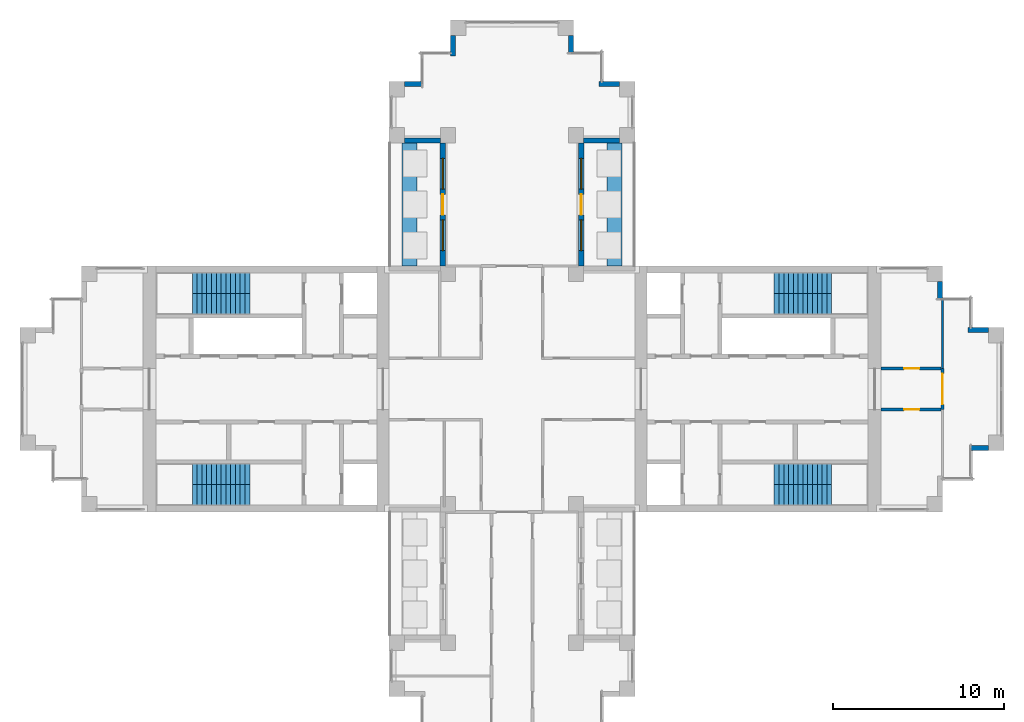
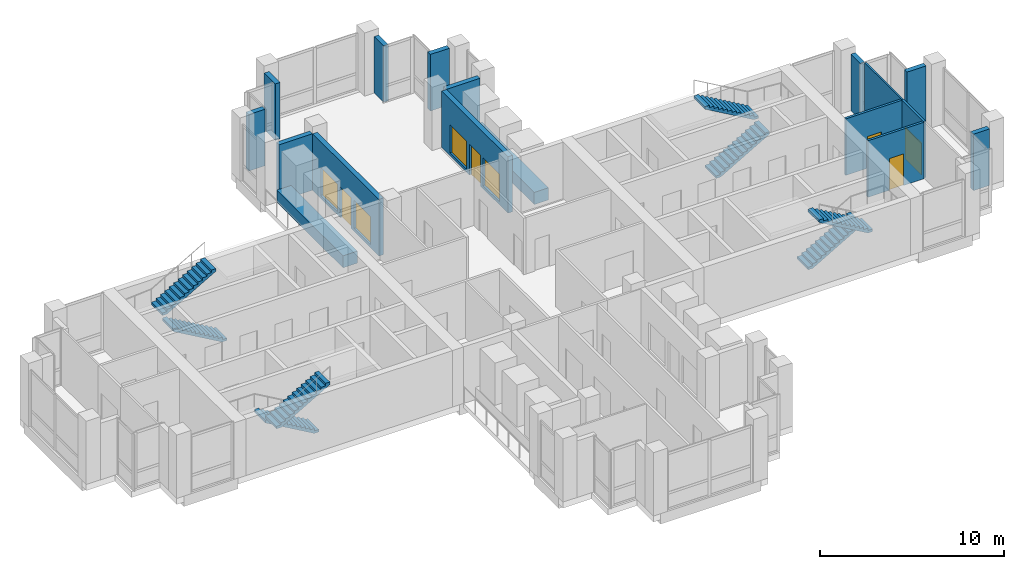
# One storey, part 11 of 13: 17 walls, 8 stair flights, 5 doors, 4 windows, 9 openings, 4 elements without a shape of their own.
"""IFC4 building model written with IfcOpenShell, lengths in metres."""

import ifcopenshell
import ifcopenshell.guid

model = None  # the IFC model being written
_history = None  # IfcOwnerHistory: only IFC2X3 demands one
_inside = {}  # id of a spatial element -> (the spatial element, [elements in it])
_under = {}  # id of a project, library or spatial element -> (it, [spatial elements below it])
_declared = {}  # id of a project -> (the project, [libraries it declares])
_typed = {}  # id of a type object -> (the type object, [elements of that type])
_made_of = {}  # id of a material, layer set ... -> (it, [elements and type objects made of it])


def new_model(schema):
    """Start an empty IFC model of exactly this schema.

    Asked for "IFC4X3", IfcOpenShell would pick the latest addendum, in which some entities
    have other attributes; the version numbers below select the first issue.
    IFC2X3 requires an IfcOwnerHistory on every rooted entity: one is made here for all.
    """
    global model, _history
    if schema == "IFC4X3":
        model = ifcopenshell.file(schema_version=(4, 3, 0, 0))
    else:
        model = ifcopenshell.file(schema=schema)
    _inside.clear()
    _under.clear()
    _declared.clear()
    _typed.clear()
    _made_of.clear()
    _history = None
    if model.schema == "IFC2X3":
        org = make("IfcOrganization", Name="unknown")
        user = make(
            "IfcPersonAndOrganization",
            ThePerson=make("IfcPerson", FamilyName="unknown"),
            TheOrganization=org,
        )
        app = make(
            "IfcApplication",
            ApplicationDeveloper=org,
            Version="unknown",
            ApplicationFullName="unknown",
            ApplicationIdentifier="unknown",
        )
        _history = make(
            "IfcOwnerHistory",
            OwningUser=user,
            OwningApplication=app,
            ChangeAction="ADDED",
            CreationDate=0,
        )
    return model


def make(cls, **values):
    """One entity of the class cls with the attributes given. An attribute that is None is left unset."""
    return model.create_entity(
        cls, **{name: value for name, value in values.items() if value is not None}
    )


def rooted(cls, **values):
    """An entity with a GlobalId (a new one), such as an element, a storey or a relation."""
    return make(cls, GlobalId=ifcopenshell.guid.new(), OwnerHistory=_history, **values)


def si_unit(unit_type, name, prefix=None):
    """IfcSIUnit, for example si_unit("LENGTHUNIT", "METRE", prefix="MILLI")."""
    return make("IfcSIUnit", UnitType=unit_type, Prefix=prefix, Name=name)


def assignment(units):
    """IfcUnitAssignment: the units of a project."""
    return None if units is None else make("IfcUnitAssignment", Units=units)


def point(xyz):
    """IfcCartesianPoint."""
    return None if xyz is None else make("IfcCartesianPoint", Coordinates=xyz)


def direction(xyz):
    """IfcDirection."""
    return None if xyz is None else make("IfcDirection", DirectionRatios=xyz)


def frame(location, z_axis=None, x_axis=None):
    """IfcAxis2Placement3D, a coordinate frame: its origin and axes. An axis left out is left unset."""
    return make(
        "IfcAxis2Placement3D",
        Location=point(location),
        Axis=direction(z_axis),
        RefDirection=direction(x_axis),
    )


def frame_2d(location, x_axis=None):
    """IfcAxis2Placement2D, a coordinate frame in the plane: its origin and x axis."""
    return make(
        "IfcAxis2Placement2D", Location=point(location), RefDirection=direction(x_axis)
    )


def origin():
    """The frame at (0, 0, 0) with its axes left unset."""
    return frame((0.0, 0.0, 0.0))


def place(relative_to, where):
    """IfcLocalPlacement: puts the frame where relative to a parent placement (None: the world)."""
    return make(
        "IfcLocalPlacement", PlacementRelTo=relative_to, RelativePlacement=where
    )


def context(
    kind, dimensions, precision=None, world=None, true_north=None, identifier=None
):
    """IfcGeometricRepresentationContext, for example the 3D "Model" context."""
    return make(
        "IfcGeometricRepresentationContext",
        ContextIdentifier=identifier,
        ContextType=kind,
        CoordinateSpaceDimension=dimensions,
        Precision=precision,
        WorldCoordinateSystem=world,
        TrueNorth=true_north,
    )


def subcontext(parent, identifier, kind, view, scale=None):
    """IfcGeometricRepresentationSubContext, for example "Body" below "Model"."""
    return make(
        "IfcGeometricRepresentationSubContext",
        ContextIdentifier=identifier,
        ContextType=kind,
        ParentContext=parent,
        TargetScale=scale,
        TargetView=view,
    )


def project(units=None, contexts=None):
    """IfcProject with its units and contexts."""
    return rooted(
        "IfcProject",
        Name="project",
        RepresentationContexts=contexts,
        UnitsInContext=assignment(units),
    )


def spatial(cls, under=None, at=None, **own):
    """A site, building, storey or space (cls), placed at a placement, below another one or the project."""
    s = rooted(cls, ObjectPlacement=at, **own)
    if under is not None:
        _under.setdefault(under.id(), (under, []))[1].append(s)
    return s


def polyline(points):
    """IfcPolyline through the points."""
    return make("IfcPolyline", Points=[point(p) for p in points])


def profile(cls, at=None, kind="AREA", **sizes):
    """A parametric profile (cls). Its sizes go by their IFC names, for example OverallWidth=200.0."""
    return make(cls, ProfileType=kind, Position=at, **sizes)


def rectangle(**sizes):
    """IfcRectangleProfileDef."""
    return profile("IfcRectangleProfileDef", **sizes)


def outline(outer, holes=None, kind="AREA"):
    """IfcArbitraryClosedProfileDef: a profile drawn as a closed curve; with holes, ...WithVoids."""
    if holes is None:
        return make("IfcArbitraryClosedProfileDef", ProfileType=kind, OuterCurve=outer)
    return make(
        "IfcArbitraryProfileDefWithVoids",
        ProfileType=kind,
        OuterCurve=outer,
        InnerCurves=holes,
    )


def extrude(swept, where, along, depth):
    """IfcExtrudedAreaSolid: the profile swept, set in the frame where, extruded along a direction by depth."""
    return make(
        "IfcExtrudedAreaSolid",
        SweptArea=swept,
        Position=where,
        ExtrudedDirection=direction(along),
        Depth=depth,
    )


def shape(context_of_items, identifier, shape_type, items):
    """IfcShapeRepresentation: the items that make up one representation, for example the "Body"."""
    return make(
        "IfcShapeRepresentation",
        ContextOfItems=context_of_items,
        RepresentationIdentifier=identifier,
        RepresentationType=shape_type,
        Items=items,
    )


def material(Name=None, Category=None):
    """IfcMaterial."""
    return make("IfcMaterial", Name=Name, Category=Category)


def layer(
    of_material, thickness, ventilated=None, Name=None, Category=None, Priority=None
):
    """IfcMaterialLayer: one layer of a wall or slab, of a material (None: an air gap)."""
    return make(
        "IfcMaterialLayer",
        Material=of_material,
        LayerThickness=thickness,
        IsVentilated=ventilated,
        Name=Name,
        Category=Category,
        Priority=Priority,
    )


def layer_set(layers, Name=None):
    """IfcMaterialLayerSet."""
    return make("IfcMaterialLayerSet", MaterialLayers=layers, LayerSetName=Name)


def made_of(thing, what):
    """Note that an element or type object is made of a material, layer set ...; save() writes the relation."""
    if what is not None:
        _made_of.setdefault(what.id(), (what, []))[1].append(thing)
    return thing


def type_object(cls, material=None, **own):
    """A type object (cls), such as IfcWallType, which elements share."""
    return made_of(rooted(cls, **own), material)


def element(
    cls,
    number,
    at=None,
    inside=None,
    cuts=None,
    type_object=None,
    material=None,
    context=None,
    identifier="Body",
    shape_type=None,
    held_by="IfcProductDefinitionShape",
    body=None,
    shapes=None,
    **own,
):
    """One element of the class cls, such as IfcWall. Its Tag is "e" and its number.

    at: its placement. inside: the storey or other place that contains it. cuts: it is an
    opening in that element (IfcRelVoidsElement). A single representation is given by context,
    identifier, shape_type and body (its items); several are given by shapes. held_by: the class
    of the entity that holds the representations. save() writes the other relations.
    """
    e = rooted(cls, Tag="e%d" % number, ObjectPlacement=at, **own)
    if body is not None:
        shapes = [shape(context, identifier, shape_type, body)]
    if shapes is not None:
        e.Representation = make(held_by, Representations=shapes)
    if inside is not None:
        _inside.setdefault(inside.id(), (inside, []))[1].append(e)
    if cuts is not None:
        rooted(
            "IfcRelVoidsElement", RelatingBuildingElement=cuts, RelatedOpeningElement=e
        )
    if type_object is not None:
        _typed.setdefault(type_object.id(), (type_object, []))[1].append(e)
    return made_of(e, material)


def fill(opening, filler):
    """IfcRelFillsElement: the door or window that sits in an opening."""
    return rooted(
        "IfcRelFillsElement",
        RelatingOpeningElement=opening,
        RelatedBuildingElement=filler,
    )


def aggregate(whole, parts):
    """IfcRelAggregates: a whole, such as a stair, and the parts it consists of."""
    return rooted("IfcRelAggregates", RelatingObject=whole, RelatedObjects=parts)


def save(model, path):
    """Write the relations noted so far, then the file.

    IfcRelAggregates (storeys below a building ...), IfcRelContainedInSpatialStructure (elements
    in a storey), IfcRelDefinesByType, IfcRelAssociatesMaterial and IfcRelDeclares: one each for
    every whole, place, type object, material and project.
    """
    for whole, parts in _under.values():
        aggregate(whole, parts)
    for where, things in _inside.values():
        rooted(
            "IfcRelContainedInSpatialStructure",
            RelatedElements=things,
            RelatingStructure=where,
        )
    for kind, things in _typed.values():
        rooted("IfcRelDefinesByType", RelatedObjects=things, RelatingType=kind)
    for what, things in _made_of.values():
        rooted("IfcRelAssociatesMaterial", RelatedObjects=things, RelatingMaterial=what)
    for by, libraries in _declared.values():
        rooted("IfcRelDeclares", RelatingContext=by, RelatedDefinitions=libraries)
    model.write(path)


model = new_model("IFC4")

# Units and contexts
model_context = context("Model", 3, precision=1e-05, world=origin(), true_north=direction((0.0, 1.0)))
body_context = subcontext(model_context, "Body", "Model", "MODEL_VIEW")
ifc_project = project(units=[si_unit("LENGTHUNIT", "METRE"), si_unit("AREAUNIT", "SQUARE_METRE"), si_unit("VOLUMEUNIT", "CUBIC_METRE"), si_unit("PLANEANGLEUNIT", "RADIAN"), si_unit("MASSUNIT", "GRAM", prefix="KILO")], contexts=[model_context])

# Site, building, storey
site_placement = place(None, origin())
site = spatial("IfcSite", under=ifc_project, at=site_placement, CompositionType="ELEMENT")
building_placement = place(site_placement, origin())
building = spatial("IfcBuilding", under=site, at=building_placement, Name="Fustian Cross Tower", CompositionType="ELEMENT")
storey_placement = place(building_placement, frame((0.0, 0.0, 237.89990234375)))
storey = spatial("IfcBuildingStorey", under=building, at=storey_placement, Name="L75", CompositionType="ELEMENT", Elevation=237.89990234375)

# Wall, opening, door
ifc_material_1 = material(Name="Plasterboard on steel stud", Category="steel")
ifc_layer_1 = layer(ifc_material_1, 0.14990234375)
ifc_layer_set_1 = layer_set([ifc_layer_1], Name="Plasterboard on steel stud")
wall_type_1 = type_object("IfcWallType", Name="COMPARTMENT WALL 150 EI 60", PredefinedType="PARTITIONING", material=ifc_layer_set_1)
wall_1_placement = place(storey_placement, frame((21.60009765625, -1.199951171875, 0.0), z_axis=(0.0, 0.0, 1.0), x_axis=(1.0, 0.0, 0.0)))
wall_1 = element("IfcWall", 1, at=wall_1_placement, inside=storey, type_object=wall_type_1, Name="Partition 24", PredefinedType="PARTITIONING", context=body_context, shape_type="SweptSolid", body=[
    extrude(rectangle(XDim=3.52490234375, YDim=0.14990234375, at=frame_2d((1.762451171875, 0.0))), origin(), (0.0, 0.0, 1.0), 3.75),
])
opening_1_placement = place(wall_1_placement, frame((1.35009765625, 0.0, 0.0)))
opening_1 = element("IfcOpeningElement", 2, at=opening_1_placement, cuts=wall_1, Name="Opening D34025", PredefinedType="OPENING", context=body_context, shape_type="SweptSolid", body=[
    extrude(rectangle(XDim=0.89990234375, YDim=2.10009765625, at=frame_2d((0.449951171875, 1.050048828125))), frame((0.0, 0.0849609375, 0.0), z_axis=(0.0, -1.0, 0.0), x_axis=(1.0, 0.0, 0.0)), (0.0, 0.0, 1.0), 0.169921875),
])
ifc_material_2 = material(Name="Timber fire door set", Category="wood")
door_type_1 = type_object("IfcDoorType", Name="FIRE SWING DOOR 900 FD30S", OperationType="SINGLE_SWING_LEFT", PredefinedType="DOOR", material=ifc_material_2)
door_1_placement = place(opening_1_placement, origin())
door_1 = element("IfcDoor", 3, at=door_1_placement, inside=storey, type_object=door_type_1, Name="Door D34025", OperationType="SINGLE_SWING_LEFT", OverallHeight=2.10009765625, OverallWidth=0.89990234375, PredefinedType="DOOR", context=body_context, shape_type="SweptSolid", body=[
    extrude(rectangle(XDim=0.89990234375, YDim=2.10009765625, at=frame_2d((0.449951171875, 1.050048828125))), frame((0.0, 0.02490234375, 0.0), z_axis=(0.0, -1.0, 0.0), x_axis=(1.0, 0.0, 0.0)), (0.0, 0.0, 1.0), 0.050048828125),
])
fill(opening_1, door_1)

wall_2_placement = place(storey_placement, frame((21.60009765625, 1.199951171875, 0.0), z_axis=(0.0, 0.0, 1.0), x_axis=(1.0, 0.0, 0.0)))
wall_2 = element("IfcWall", 4, at=wall_2_placement, inside=storey, type_object=wall_type_1, Name="Partition 25", PredefinedType="PARTITIONING", context=body_context, shape_type="SweptSolid", body=[
    extrude(rectangle(XDim=3.52490234375, YDim=0.14990234375, at=frame_2d((1.762451171875, 0.0))), origin(), (0.0, 0.0, 1.0), 3.75),
])
opening_2_placement = place(wall_2_placement, frame((1.35009765625, 0.0, 0.0)))
opening_2 = element("IfcOpeningElement", 5, at=opening_2_placement, cuts=wall_2, Name="Opening D34024", PredefinedType="OPENING", context=body_context, shape_type="SweptSolid", body=[
    extrude(rectangle(XDim=0.89990234375, YDim=2.10009765625, at=frame_2d((0.449951171875, 1.050048828125))), frame((0.0, 0.0849609375, 0.0), z_axis=(0.0, -1.0, 0.0), x_axis=(1.0, 0.0, 0.0)), (0.0, 0.0, 1.0), 0.169921875),
])
door_2_placement = place(opening_2_placement, frame((0.89990234375, 0.0, 0.0), z_axis=(0.0, 0.0, 1.0), x_axis=(-1.0, 0.0, 0.0)))
door_2 = element("IfcDoor", 6, at=door_2_placement, inside=storey, type_object=door_type_1, Name="Door D34024", OperationType="SINGLE_SWING_RIGHT", OverallHeight=2.10009765625, OverallWidth=0.89990234375, PredefinedType="DOOR", context=body_context, shape_type="SweptSolid", body=[
    extrude(rectangle(XDim=0.89990234375, YDim=2.10009765625, at=frame_2d((0.449951171875, 1.050048828125))), frame((0.0, 0.02490234375, 0.0), z_axis=(0.0, -1.0, 0.0), x_axis=(1.0, 0.0, 0.0)), (0.0, 0.0, 1.0), 0.050048828125),
])
fill(opening_2, door_2)

wall_3_placement = place(storey_placement, frame((25.199951171875, -1.199951171875, 0.0), z_axis=(0.0, 0.0, 1.0), x_axis=(0.0, 1.0, 0.0)))
wall_3 = element("IfcWall", 7, at=wall_3_placement, inside=storey, type_object=wall_type_1, Name="Partition 27", PredefinedType="PARTITIONING", context=body_context, shape_type="SweptSolid", body=[
    extrude(rectangle(XDim=2.39990234375, YDim=0.14990234375, at=frame_2d((1.199951171875, 0.0))), origin(), (0.0, 0.0, 1.0), 3.75),
])
opening_3_placement = place(wall_3_placement, frame((0.300048828125, 0.0, 0.0)))
opening_3 = element("IfcOpeningElement", 8, at=opening_3_placement, cuts=wall_3, Name="Opening D34023", PredefinedType="OPENING", context=body_context, shape_type="SweptSolid", body=[
    extrude(rectangle(XDim=1.800048828125, YDim=2.10009765625, at=frame_2d((0.89990234375, 1.050048828125))), frame((0.0, 0.0849609375, 0.0), z_axis=(0.0, -1.0, 0.0), x_axis=(1.0, 0.0, 0.0)), (0.0, 0.0, 1.0), 0.169921875),
])
ifc_material_3 = material(Name="Timber fire door set", Category="wood")
door_type_2 = type_object("IfcDoorType", Name="FIRE DOUBLE DOOR 1800 FD30S", OperationType="DOUBLE_DOOR_DOUBLE_SWING", PredefinedType="DOOR", material=ifc_material_3)
door_3_placement = place(opening_3_placement, origin())
door_3 = element("IfcDoor", 9, at=door_3_placement, inside=storey, type_object=door_type_2, Name="Door D34023", OperationType="DOUBLE_DOOR_DOUBLE_SWING", OverallHeight=2.10009765625, OverallWidth=1.800048828125, PredefinedType="DOOR", context=body_context, shape_type="SweptSolid", body=[
    extrude(rectangle(XDim=1.800048828125, YDim=2.10009765625, at=frame_2d((0.89990234375, 1.050048828125))), frame((0.0, 0.02490234375, 0.0), z_axis=(0.0, -1.0, 0.0), x_axis=(1.0, 0.0, 0.0)), (0.0, 0.0, 1.0), 0.050048828125),
])
fill(opening_3, door_3)

# Walls
ifc_material_4 = material(Name="Plasterboard on steel stud", Category="steel")
ifc_layer_2 = layer(ifc_material_4, 0.10009765625)
ifc_layer_set_2 = layer_set([ifc_layer_2], Name="Plasterboard on steel stud")
wall_type_2 = type_object("IfcWallType", Name="PARTITION 100 STUD", PredefinedType="PARTITIONING", material=ifc_layer_set_2)
wall_4_placement = place(storey_placement, frame((25.199951171875, 1.199951171875, 0.0), z_axis=(0.0, 0.0, 1.0), x_axis=(0.0, 1.0, 0.0)))
element("IfcWall", 10, at=wall_4_placement, inside=storey, type_object=wall_type_2, Name="Partition 28", PredefinedType="PARTITIONING", context=body_context, shape_type="SweptSolid", body=[
    extrude(rectangle(XDim=4.02001953125, YDim=0.10009765625, at=frame_2d((2.010009765625, 0.0))), origin(), (0.0, 0.0, 1.0), 3.75),
])
ifc_material_5 = material(Name="Concrete C40/50", Category="concrete")
ifc_layer_3 = layer(ifc_material_5, 0.89990234375)
ifc_layer_set_3 = layer_set([ifc_layer_3], Name="Concrete C40/50")
wall_type_3 = type_object("IfcWallType", Name="PK1 PLANTER 900", PredefinedType="PARAPET", material=ifc_layer_set_3)
for number, where, z_axis, x_axis, name in (
    (11, (6.0, 7.199951171875, 0.0), (0.0, 0.0, 1.0), (0.0, 1.0, 0.0), "PLANTER"),
    (12, (-6.0, 7.199951171875, 0.0), (0.0, 0.0, 1.0), (0.0, 1.0, 0.0), "PLANTER"),
):
    element("IfcWall", number, at=place(storey_placement, frame(where, z_axis=z_axis, x_axis=x_axis)), inside=storey, type_object=wall_type_3, Name=name, PredefinedType="PARAPET", context=body_context, shape_type="SweptSolid", body=[
        extrude(rectangle(XDim=7.199951171875, YDim=0.89990234375, at=frame_2d((3.60009765625, 0.0))), origin(), (0.0, 0.0, 1.0), 0.800048828125),
    ])
ifc_material_6 = material(Name="Dark aluminium cladding on insulated backing wall", Category="aluminium")
ifc_layer_4 = layer(ifc_material_6, 0.300048828125)
ifc_layer_set_4 = layer_set([ifc_layer_4], Name="Dark aluminium cladding on insulated backing wall")
wall_type_4 = type_object("IfcWallType", Name="XW1 EXTERNAL WALL 300", PredefinedType="SOLIDWALL", material=ifc_layer_set_4)
wall_5_placement = place(storey_placement, frame((26.8798828125, -3.449951171875, 0.0), z_axis=(0.0, 0.0, 1.0), x_axis=(1.0, 0.0, 0.0)))
element("IfcWall", 13, at=wall_5_placement, inside=storey, type_object=wall_type_4, Name="External wall", PredefinedType="SOLIDWALL", context=body_context, shape_type="SweptSolid", body=[
    extrude(rectangle(XDim=1.02001953125, YDim=0.300048828125, at=frame_2d((0.510009765625, 0.0))), origin(), (0.0, 0.0, 1.0), 3.75),
])
wall_6_placement = place(storey_placement, frame((27.89990234375, 3.449951171875, 0.0), z_axis=(0.0, 0.0, 1.0), x_axis=(-1.0, 0.0, 0.0)))
element("IfcWall", 14, at=wall_6_placement, inside=storey, type_object=wall_type_4, Name="External wall", PredefinedType="SOLIDWALL", context=body_context, shape_type="SweptSolid", body=[
    extrude(rectangle(XDim=1.199951171875, YDim=0.300048828125, at=frame_2d((0.60009765625, 0.0))), origin(), (0.0, 0.0, 1.0), 3.75),
])
wall_7_placement = place(storey_placement, frame((25.050048828125, 5.280029296875, 0.0), z_axis=(0.0, 0.0, 1.0), x_axis=(0.0, 1.0, 0.0)))
element("IfcWall", 15, at=wall_7_placement, inside=storey, type_object=wall_type_4, Name="External wall", PredefinedType="SOLIDWALL", context=body_context, shape_type="SweptSolid", body=[
    extrude(rectangle(XDim=1.02001953125, YDim=0.300048828125, at=frame_2d((0.510009765625, 0.0))), origin(), (0.0, 0.0, 1.0), 3.75),
])

# Wall, openings, door, windows
wall_8_placement = place(storey_placement, frame((4.050048828125, 7.199951171875, 0.0), z_axis=(0.0, 0.0, 1.0), x_axis=(0.0, 1.0, 0.0)))
wall_8 = element("IfcWall", 16, at=wall_8_placement, inside=storey, type_object=wall_type_4, Name="External wall", PredefinedType="SOLIDWALL", context=body_context, shape_type="SweptSolid", body=[
    extrude(rectangle(XDim=7.199951171875, YDim=0.300048828125, at=frame_2d((3.60009765625, 0.0))), origin(), (0.0, 0.0, 1.0), 3.75),
])
opening_4_placement = place(wall_8_placement, frame((3.0, 0.0, 0.0)))
opening_4 = element("IfcOpeningElement", 17, at=opening_4_placement, cuts=wall_8, Name="Opening XD1", PredefinedType="OPENING", context=body_context, shape_type="SweptSolid", body=[
    extrude(rectangle(XDim=1.199951171875, YDim=2.050048828125, at=frame_2d((0.60009765625, 1.02490234375))), frame((0.0, 0.159912109375, 0.0), z_axis=(0.0, -1.0, 0.0), x_axis=(1.0, 0.0, 0.0)), (0.0, 0.0, 1.0), 0.320068359375),
])
opening_5_placement = place(wall_8_placement, frame((0.89990234375, 0.0, 0.199951171875)))
opening_5 = element("IfcOpeningElement", 18, at=opening_5_placement, cuts=wall_8, Name="Opening WN2", PredefinedType="OPENING", context=body_context, shape_type="SweptSolid", body=[
    extrude(rectangle(XDim=1.800048828125, YDim=1.85009765625, at=frame_2d((0.89990234375, 0.925048828125))), frame((0.0, 0.159912109375, 0.0), z_axis=(0.0, -1.0, 0.0), x_axis=(1.0, 0.0, 0.0)), (0.0, 0.0, 1.0), 0.320068359375),
])
opening_6_placement = place(wall_8_placement, frame((4.5, 0.0, 0.199951171875)))
opening_6 = element("IfcOpeningElement", 19, at=opening_6_placement, cuts=wall_8, Name="Opening WN2", PredefinedType="OPENING", context=body_context, shape_type="SweptSolid", body=[
    extrude(rectangle(XDim=1.800048828125, YDim=1.85009765625, at=frame_2d((0.89990234375, 0.925048828125))), frame((0.0, 0.159912109375, 0.0), z_axis=(0.0, -1.0, 0.0), x_axis=(1.0, 0.0, 0.0)), (0.0, 0.0, 1.0), 0.320068359375),
])
ifc_material_7 = material(Name="Dark anodised aluminium and double glazing", Category="aluminium")
door_type_3 = type_object("IfcDoorType", Name="ED1 BALCONY DOOR 1200X2050", OperationType="SINGLE_SWING_LEFT", PredefinedType="DOOR", material=ifc_material_7)
door_4_placement = place(opening_4_placement, origin())
door_4 = element("IfcDoor", 20, at=door_4_placement, inside=storey, type_object=door_type_3, Name="Balcony door", OperationType="SINGLE_SWING_LEFT", OverallHeight=2.050048828125, OverallWidth=1.199951171875, PredefinedType="DOOR", context=body_context, shape_type="SweptSolid", body=[
    extrude(rectangle(XDim=1.199951171875, YDim=2.050048828125, at=frame_2d((0.60009765625, 1.02490234375))), frame((0.0, 0.02490234375, 0.0), z_axis=(0.0, -1.0, 0.0), x_axis=(1.0, 0.0, 0.0)), (0.0, 0.0, 1.0), 0.050048828125),
])
fill(opening_4, door_4)
ifc_material_8 = material(Name="Dark anodised aluminium and double glazing", Category="aluminium")
window_type = type_object("IfcWindowType", Name="WN2 WINDOW 1800X1850", PartitioningType="SINGLE_PANEL", PredefinedType="WINDOW", material=ifc_material_8)
window_1_placement = place(opening_5_placement, origin())
window_1 = element("IfcWindow", 21, at=window_1_placement, inside=storey, type_object=window_type, Name="Window", OverallHeight=1.85009765625, OverallWidth=1.800048828125, PartitioningType="SINGLE_PANEL", PredefinedType="WINDOW", context=body_context, shape_type="SweptSolid", body=[
    extrude(rectangle(XDim=1.800048828125, YDim=1.85009765625, at=frame_2d((0.89990234375, 0.925048828125))), frame((0.0, 0.030029296875, 0.0), z_axis=(0.0, -1.0, 0.0), x_axis=(1.0, 0.0, 0.0)), (0.0, 0.0, 1.0), 0.06005859375),
])
fill(opening_5, window_1)
window_2_placement = place(opening_6_placement, origin())
window_2 = element("IfcWindow", 22, at=window_2_placement, inside=storey, type_object=window_type, Name="Window", OverallHeight=1.85009765625, OverallWidth=1.800048828125, PartitioningType="SINGLE_PANEL", PredefinedType="WINDOW", context=body_context, shape_type="SweptSolid", body=[
    extrude(rectangle(XDim=1.800048828125, YDim=1.85009765625, at=frame_2d((0.89990234375, 0.925048828125))), frame((0.0, 0.030029296875, 0.0), z_axis=(0.0, -1.0, 0.0), x_axis=(1.0, 0.0, 0.0)), (0.0, 0.0, 1.0), 0.06005859375),
])
fill(opening_6, window_2)

# Walls
wall_9_placement = place(storey_placement, frame((4.199951171875, 14.550048828125, 0.0), z_axis=(0.0, 0.0, 1.0), x_axis=(1.0, 0.0, 0.0)))
element("IfcWall", 23, at=wall_9_placement, inside=storey, type_object=wall_type_4, Name="External wall", PredefinedType="SOLIDWALL", context=body_context, shape_type="SweptSolid", body=[
    extrude(rectangle(XDim=2.10009765625, YDim=0.300048828125, at=frame_2d((1.050048828125, 0.0))), origin(), (0.0, 0.0, 1.0), 3.75),
])
wall_10_placement = place(storey_placement, frame((6.300048828125, 17.85009765625, 0.0), z_axis=(0.0, 0.0, 1.0), x_axis=(-1.0, 0.0, 0.0)))
element("IfcWall", 24, at=wall_10_placement, inside=storey, type_object=wall_type_4, Name="External wall", PredefinedType="SOLIDWALL", context=body_context, shape_type="SweptSolid", body=[
    extrude(rectangle(XDim=1.199951171875, YDim=0.300048828125, at=frame_2d((0.60009765625, 0.0))), origin(), (0.0, 0.0, 1.0), 3.75),
])
wall_11_placement = place(storey_placement, frame((3.449951171875, 19.679931640625, 0.0), z_axis=(0.0, 0.0, 1.0), x_axis=(0.0, 1.0, 0.0)))
element("IfcWall", 25, at=wall_11_placement, inside=storey, type_object=wall_type_4, Name="External wall", PredefinedType="SOLIDWALL", context=body_context, shape_type="SweptSolid", body=[
    extrude(rectangle(XDim=1.02001953125, YDim=0.300048828125, at=frame_2d((0.510009765625, 0.0))), origin(), (0.0, 0.0, 1.0), 3.75),
])
wall_12_placement = place(storey_placement, frame((-3.449951171875, 20.699951171875, 0.0), z_axis=(0.0, 0.0, 1.0), x_axis=(0.0, -1.0, 0.0)))
element("IfcWall", 26, at=wall_12_placement, inside=storey, type_object=wall_type_4, Name="External wall", PredefinedType="SOLIDWALL", context=body_context, shape_type="SweptSolid", body=[
    extrude(rectangle(XDim=1.199951171875, YDim=0.300048828125, at=frame_2d((0.60009765625, 0.0))), origin(), (0.0, 0.0, 1.0), 3.75),
])
wall_13_placement = place(storey_placement, frame((-5.280029296875, 17.85009765625, 0.0), z_axis=(0.0, 0.0, 1.0), x_axis=(-1.0, 0.0, 0.0)))
element("IfcWall", 27, at=wall_13_placement, inside=storey, type_object=wall_type_4, Name="External wall", PredefinedType="SOLIDWALL", context=body_context, shape_type="SweptSolid", body=[
    extrude(rectangle(XDim=1.02001953125, YDim=0.300048828125, at=frame_2d((0.510009765625, 0.0))), origin(), (0.0, 0.0, 1.0), 3.75),
])
wall_14_placement = place(storey_placement, frame((-6.300048828125, 14.550048828125, 0.0), z_axis=(0.0, 0.0, 1.0), x_axis=(1.0, 0.0, 0.0)))
element("IfcWall", 28, at=wall_14_placement, inside=storey, type_object=wall_type_4, Name="External wall", PredefinedType="SOLIDWALL", context=body_context, shape_type="SweptSolid", body=[
    extrude(rectangle(XDim=2.10009765625, YDim=0.300048828125, at=frame_2d((1.050048828125, 0.0))), origin(), (0.0, 0.0, 1.0), 3.75),
])

# Wall, openings, door, windows
wall_15_placement = place(storey_placement, frame((-4.050048828125, 14.39990234375, 0.0), z_axis=(0.0, 0.0, 1.0), x_axis=(0.0, -1.0, 0.0)))
wall_15 = element("IfcWall", 29, at=wall_15_placement, inside=storey, type_object=wall_type_4, Name="External wall", PredefinedType="SOLIDWALL", context=body_context, shape_type="SweptSolid", body=[
    extrude(rectangle(XDim=7.199951171875, YDim=0.300048828125, at=frame_2d((3.60009765625, 0.0))), origin(), (0.0, 0.0, 1.0), 3.75),
])
opening_7_placement = place(wall_15_placement, frame((3.0, 0.0, 0.0)))
opening_7 = element("IfcOpeningElement", 30, at=opening_7_placement, cuts=wall_15, Name="Opening XD2", PredefinedType="OPENING", context=body_context, shape_type="SweptSolid", body=[
    extrude(rectangle(XDim=1.199951171875, YDim=2.050048828125, at=frame_2d((0.60009765625, 1.02490234375))), frame((0.0, 0.159912109375, 0.0), z_axis=(0.0, -1.0, 0.0), x_axis=(1.0, 0.0, 0.0)), (0.0, 0.0, 1.0), 0.320068359375),
])
opening_8_placement = place(wall_15_placement, frame((0.89990234375, 0.0, 0.199951171875)))
opening_8 = element("IfcOpeningElement", 31, at=opening_8_placement, cuts=wall_15, Name="Opening WN2", PredefinedType="OPENING", context=body_context, shape_type="SweptSolid", body=[
    extrude(rectangle(XDim=1.800048828125, YDim=1.85009765625, at=frame_2d((0.89990234375, 0.925048828125))), frame((0.0, 0.159912109375, 0.0), z_axis=(0.0, -1.0, 0.0), x_axis=(1.0, 0.0, 0.0)), (0.0, 0.0, 1.0), 0.320068359375),
])
opening_9_placement = place(wall_15_placement, frame((4.5, 0.0, 0.199951171875)))
opening_9 = element("IfcOpeningElement", 32, at=opening_9_placement, cuts=wall_15, Name="Opening WN2", PredefinedType="OPENING", context=body_context, shape_type="SweptSolid", body=[
    extrude(rectangle(XDim=1.800048828125, YDim=1.85009765625, at=frame_2d((0.89990234375, 0.925048828125))), frame((0.0, 0.159912109375, 0.0), z_axis=(0.0, -1.0, 0.0), x_axis=(1.0, 0.0, 0.0)), (0.0, 0.0, 1.0), 0.320068359375),
])
door_5_placement = place(opening_7_placement, origin())
door_5 = element("IfcDoor", 33, at=door_5_placement, inside=storey, type_object=door_type_3, Name="Balcony door", OperationType="SINGLE_SWING_LEFT", OverallHeight=2.050048828125, OverallWidth=1.199951171875, PredefinedType="DOOR", context=body_context, shape_type="SweptSolid", body=[
    extrude(rectangle(XDim=1.199951171875, YDim=2.050048828125, at=frame_2d((0.60009765625, 1.02490234375))), frame((0.0, 0.02490234375, 0.0), z_axis=(0.0, -1.0, 0.0), x_axis=(1.0, 0.0, 0.0)), (0.0, 0.0, 1.0), 0.050048828125),
])
fill(opening_7, door_5)
window_3_placement = place(opening_8_placement, origin())
window_3 = element("IfcWindow", 34, at=window_3_placement, inside=storey, type_object=window_type, Name="Window", OverallHeight=1.85009765625, OverallWidth=1.800048828125, PartitioningType="SINGLE_PANEL", PredefinedType="WINDOW", context=body_context, shape_type="SweptSolid", body=[
    extrude(rectangle(XDim=1.800048828125, YDim=1.85009765625, at=frame_2d((0.89990234375, 0.925048828125))), frame((0.0, 0.030029296875, 0.0), z_axis=(0.0, -1.0, 0.0), x_axis=(1.0, 0.0, 0.0)), (0.0, 0.0, 1.0), 0.06005859375),
])
fill(opening_8, window_3)
window_4_placement = place(opening_9_placement, origin())
window_4 = element("IfcWindow", 35, at=window_4_placement, inside=storey, type_object=window_type, Name="Window", OverallHeight=1.85009765625, OverallWidth=1.800048828125, PartitioningType="SINGLE_PANEL", PredefinedType="WINDOW", context=body_context, shape_type="SweptSolid", body=[
    extrude(rectangle(XDim=1.800048828125, YDim=1.85009765625, at=frame_2d((0.89990234375, 0.925048828125))), frame((0.0, 0.030029296875, 0.0), z_axis=(0.0, -1.0, 0.0), x_axis=(1.0, 0.0, 0.0)), (0.0, 0.0, 1.0), 0.06005859375),
])
fill(opening_9, window_4)

# Stair, stair flights
ifc_material_9 = material(Name="Concrete C50/60", Category="concrete")
stair_type = type_object("IfcStairType", Name="STAIR 1200 HALF TURN", PredefinedType="HALF_TURN_STAIR", material=ifc_material_9)
stair_1_placement = place(storey_placement, origin())
stair_1 = element("IfcStair", 36, at=stair_1_placement, inside=storey, type_object=stair_type, Name="Stair ST1", PredefinedType="HALF_TURN_STAIR")
ifc_material_10 = material(Name="Concrete C50/60", Category="concrete")
stair_flight_type = type_object("IfcStairFlightType", Name="STAIR FLIGHT 1200", PredefinedType="STRAIGHT", material=ifc_material_10)
stair_flight_1_placement = place(storey_placement, frame((15.35009765625, 5.0, 0.0), z_axis=(0.0, 0.0, 1.0), x_axis=(1.0, 0.0, 0.0)))
stair_flight_1 = element("IfcStairFlight", 37, at=stair_flight_1_placement, type_object=stair_flight_type, Name="ST1 flight 1", NumberOfRisers=13, NumberOfTreads=12, PredefinedType="STRAIGHT", RiserHeight=0.161538462, TreadLength=0.28, context=body_context, shape_type="SweptSolid", body=[
    extrude(outline(polyline([(0.0, 0.0), (0.0, 0.16162109375), (0.280029296875, 0.16162109375), (0.280029296875, 0.322998046875), (0.56005859375, 0.322998046875), (0.56005859375, 0.484619140625), (0.840087890625, 0.484619140625), (0.840087890625, 0.646240234375), (1.1201171875, 0.646240234375), (1.1201171875, 0.8076171875), (1.39990234375, 0.8076171875), (1.39990234375, 0.96923828125), (1.679931640625, 0.96923828125), (1.679931640625, 1.130859375), (1.9599609375, 1.130859375), (1.9599609375, 1.292236328125), (2.239990234375, 1.292236328125), (2.239990234375, 1.453857421875), (2.52001953125, 1.453857421875), (2.52001953125, 1.615478515625), (2.800048828125, 1.615478515625), (2.800048828125, 1.77685546875), (3.080078125, 1.77685546875), (3.080078125, 1.9384765625), (3.360107421875, 1.9384765625), (3.360107421875, 2.10009765625), (3.360107421875, 1.765380859375), (0.300048828125, 0.0), (0.0, 0.0)])), frame((0.0, 0.60009765625, 0.0), z_axis=(0.0, -1.0, 0.0), x_axis=(1.0, 0.0, 0.0)), (0.0, 0.0, 1.0), 1.199951171875),
])
stair_flight_2_placement = place(storey_placement, frame((18.7099609375, 6.199951171875, 2.10009765625), z_axis=(0.0, 0.0, 1.0), x_axis=(-1.0, 0.0, 0.0)))
stair_flight_2 = element("IfcStairFlight", 38, at=stair_flight_2_placement, type_object=stair_flight_type, Name="ST1 flight 2", NumberOfRisers=13, NumberOfTreads=12, PredefinedType="STRAIGHT", RiserHeight=0.161538462, TreadLength=0.28, context=body_context, shape_type="SweptSolid", body=[
    extrude(outline(polyline([(0.0, 0.0), (0.0, 0.16162109375), (0.280029296875, 0.16162109375), (0.280029296875, 0.322998046875), (0.56005859375, 0.322998046875), (0.56005859375, 0.484619140625), (0.840087890625, 0.484619140625), (0.840087890625, 0.646240234375), (1.1201171875, 0.646240234375), (1.1201171875, 0.8076171875), (1.39990234375, 0.8076171875), (1.39990234375, 0.96923828125), (1.679931640625, 0.96923828125), (1.679931640625, 1.130859375), (1.9599609375, 1.130859375), (1.9599609375, 1.292236328125), (2.239990234375, 1.292236328125), (2.239990234375, 1.453857421875), (2.52001953125, 1.453857421875), (2.52001953125, 1.615478515625), (2.800048828125, 1.615478515625), (2.800048828125, 1.77685546875), (3.080078125, 1.77685546875), (3.080078125, 1.9384765625), (3.360107421875, 1.9384765625), (3.360107421875, 2.10009765625), (3.360107421875, 1.765380859375), (0.300048828125, 0.0), (0.0, 0.0)])), frame((0.0, 0.60009765625, 0.0), z_axis=(0.0, -1.0, 0.0), x_axis=(1.0, 0.0, 0.0)), (0.0, 0.0, 1.0), 1.199951171875),
])
aggregate(stair_1, [stair_flight_1, stair_flight_2])

stair_2_placement = place(storey_placement, origin())
stair_2 = element("IfcStair", 39, at=stair_2_placement, inside=storey, type_object=stair_type, Name="Stair ST2", PredefinedType="HALF_TURN_STAIR")
stair_flight_3_placement = place(storey_placement, frame((15.35009765625, -5.0, 0.0), z_axis=(0.0, 0.0, 1.0), x_axis=(1.0, 0.0, 0.0)))
stair_flight_3 = element("IfcStairFlight", 40, at=stair_flight_3_placement, type_object=stair_flight_type, Name="ST2 flight 1", NumberOfRisers=13, NumberOfTreads=12, PredefinedType="STRAIGHT", RiserHeight=0.161538462, TreadLength=0.28, context=body_context, shape_type="SweptSolid", body=[
    extrude(outline(polyline([(0.0, 0.0), (0.0, 0.16162109375), (0.280029296875, 0.16162109375), (0.280029296875, 0.322998046875), (0.56005859375, 0.322998046875), (0.56005859375, 0.484619140625), (0.840087890625, 0.484619140625), (0.840087890625, 0.646240234375), (1.1201171875, 0.646240234375), (1.1201171875, 0.8076171875), (1.39990234375, 0.8076171875), (1.39990234375, 0.96923828125), (1.679931640625, 0.96923828125), (1.679931640625, 1.130859375), (1.9599609375, 1.130859375), (1.9599609375, 1.292236328125), (2.239990234375, 1.292236328125), (2.239990234375, 1.453857421875), (2.52001953125, 1.453857421875), (2.52001953125, 1.615478515625), (2.800048828125, 1.615478515625), (2.800048828125, 1.77685546875), (3.080078125, 1.77685546875), (3.080078125, 1.9384765625), (3.360107421875, 1.9384765625), (3.360107421875, 2.10009765625), (3.360107421875, 1.765380859375), (0.300048828125, 0.0), (0.0, 0.0)])), frame((0.0, 0.60009765625, 0.0), z_axis=(0.0, -1.0, 0.0), x_axis=(1.0, 0.0, 0.0)), (0.0, 0.0, 1.0), 1.199951171875),
])
stair_flight_4_placement = place(storey_placement, frame((18.7099609375, -6.199951171875, 2.10009765625), z_axis=(0.0, 0.0, 1.0), x_axis=(-1.0, 0.0, 0.0)))
stair_flight_4 = element("IfcStairFlight", 41, at=stair_flight_4_placement, type_object=stair_flight_type, Name="ST2 flight 2", NumberOfRisers=13, NumberOfTreads=12, PredefinedType="STRAIGHT", RiserHeight=0.161538462, TreadLength=0.28, context=body_context, shape_type="SweptSolid", body=[
    extrude(outline(polyline([(0.0, 0.0), (0.0, 0.16162109375), (0.280029296875, 0.16162109375), (0.280029296875, 0.322998046875), (0.56005859375, 0.322998046875), (0.56005859375, 0.484619140625), (0.840087890625, 0.484619140625), (0.840087890625, 0.646240234375), (1.1201171875, 0.646240234375), (1.1201171875, 0.8076171875), (1.39990234375, 0.8076171875), (1.39990234375, 0.96923828125), (1.679931640625, 0.96923828125), (1.679931640625, 1.130859375), (1.9599609375, 1.130859375), (1.9599609375, 1.292236328125), (2.239990234375, 1.292236328125), (2.239990234375, 1.453857421875), (2.52001953125, 1.453857421875), (2.52001953125, 1.615478515625), (2.800048828125, 1.615478515625), (2.800048828125, 1.77685546875), (3.080078125, 1.77685546875), (3.080078125, 1.9384765625), (3.360107421875, 1.9384765625), (3.360107421875, 2.10009765625), (3.360107421875, 1.765380859375), (0.300048828125, 0.0), (0.0, 0.0)])), frame((0.0, 0.60009765625, 0.0), z_axis=(0.0, -1.0, 0.0), x_axis=(1.0, 0.0, 0.0)), (0.0, 0.0, 1.0), 1.199951171875),
])
aggregate(stair_2, [stair_flight_3, stair_flight_4])

stair_3_placement = place(storey_placement, origin())
stair_3 = element("IfcStair", 42, at=stair_3_placement, inside=storey, type_object=stair_type, Name="Stair ST3", PredefinedType="HALF_TURN_STAIR")
stair_flight_5_placement = place(storey_placement, frame((-15.35009765625, 5.0, 0.0), z_axis=(0.0, 0.0, 1.0), x_axis=(-1.0, 0.0, 0.0)))
stair_flight_5 = element("IfcStairFlight", 43, at=stair_flight_5_placement, type_object=stair_flight_type, Name="ST3 flight 1", NumberOfRisers=13, NumberOfTreads=12, PredefinedType="STRAIGHT", RiserHeight=0.161538462, TreadLength=0.28, context=body_context, shape_type="SweptSolid", body=[
    extrude(outline(polyline([(0.0, 0.0), (0.0, 0.16162109375), (0.280029296875, 0.16162109375), (0.280029296875, 0.322998046875), (0.56005859375, 0.322998046875), (0.56005859375, 0.484619140625), (0.840087890625, 0.484619140625), (0.840087890625, 0.646240234375), (1.1201171875, 0.646240234375), (1.1201171875, 0.8076171875), (1.39990234375, 0.8076171875), (1.39990234375, 0.96923828125), (1.679931640625, 0.96923828125), (1.679931640625, 1.130859375), (1.9599609375, 1.130859375), (1.9599609375, 1.292236328125), (2.239990234375, 1.292236328125), (2.239990234375, 1.453857421875), (2.52001953125, 1.453857421875), (2.52001953125, 1.615478515625), (2.800048828125, 1.615478515625), (2.800048828125, 1.77685546875), (3.080078125, 1.77685546875), (3.080078125, 1.9384765625), (3.360107421875, 1.9384765625), (3.360107421875, 2.10009765625), (3.360107421875, 1.765380859375), (0.300048828125, 0.0), (0.0, 0.0)])), frame((0.0, 0.60009765625, 0.0), z_axis=(0.0, -1.0, 0.0), x_axis=(1.0, 0.0, 0.0)), (0.0, 0.0, 1.0), 1.199951171875),
])
stair_flight_6_placement = place(storey_placement, frame((-18.7099609375, 6.199951171875, 2.10009765625), z_axis=(0.0, 0.0, 1.0), x_axis=(1.0, 0.0, 0.0)))
stair_flight_6 = element("IfcStairFlight", 44, at=stair_flight_6_placement, type_object=stair_flight_type, Name="ST3 flight 2", NumberOfRisers=13, NumberOfTreads=12, PredefinedType="STRAIGHT", RiserHeight=0.161538462, TreadLength=0.28, context=body_context, shape_type="SweptSolid", body=[
    extrude(outline(polyline([(0.0, 0.0), (0.0, 0.16162109375), (0.280029296875, 0.16162109375), (0.280029296875, 0.322998046875), (0.56005859375, 0.322998046875), (0.56005859375, 0.484619140625), (0.840087890625, 0.484619140625), (0.840087890625, 0.646240234375), (1.1201171875, 0.646240234375), (1.1201171875, 0.8076171875), (1.39990234375, 0.8076171875), (1.39990234375, 0.96923828125), (1.679931640625, 0.96923828125), (1.679931640625, 1.130859375), (1.9599609375, 1.130859375), (1.9599609375, 1.292236328125), (2.239990234375, 1.292236328125), (2.239990234375, 1.453857421875), (2.52001953125, 1.453857421875), (2.52001953125, 1.615478515625), (2.800048828125, 1.615478515625), (2.800048828125, 1.77685546875), (3.080078125, 1.77685546875), (3.080078125, 1.9384765625), (3.360107421875, 1.9384765625), (3.360107421875, 2.10009765625), (3.360107421875, 1.765380859375), (0.300048828125, 0.0), (0.0, 0.0)])), frame((0.0, 0.60009765625, 0.0), z_axis=(0.0, -1.0, 0.0), x_axis=(1.0, 0.0, 0.0)), (0.0, 0.0, 1.0), 1.199951171875),
])
aggregate(stair_3, [stair_flight_5, stair_flight_6])

stair_4_placement = place(storey_placement, origin())
stair_4 = element("IfcStair", 45, at=stair_4_placement, inside=storey, type_object=stair_type, Name="Stair ST4", PredefinedType="HALF_TURN_STAIR")
stair_flight_7_placement = place(storey_placement, frame((-15.35009765625, -5.0, 0.0), z_axis=(0.0, 0.0, 1.0), x_axis=(-1.0, 0.0, 0.0)))
stair_flight_7 = element("IfcStairFlight", 46, at=stair_flight_7_placement, type_object=stair_flight_type, Name="ST4 flight 1", NumberOfRisers=13, NumberOfTreads=12, PredefinedType="STRAIGHT", RiserHeight=0.161538462, TreadLength=0.28, context=body_context, shape_type="SweptSolid", body=[
    extrude(outline(polyline([(0.0, 0.0), (0.0, 0.16162109375), (0.280029296875, 0.16162109375), (0.280029296875, 0.322998046875), (0.56005859375, 0.322998046875), (0.56005859375, 0.484619140625), (0.840087890625, 0.484619140625), (0.840087890625, 0.646240234375), (1.1201171875, 0.646240234375), (1.1201171875, 0.8076171875), (1.39990234375, 0.8076171875), (1.39990234375, 0.96923828125), (1.679931640625, 0.96923828125), (1.679931640625, 1.130859375), (1.9599609375, 1.130859375), (1.9599609375, 1.292236328125), (2.239990234375, 1.292236328125), (2.239990234375, 1.453857421875), (2.52001953125, 1.453857421875), (2.52001953125, 1.615478515625), (2.800048828125, 1.615478515625), (2.800048828125, 1.77685546875), (3.080078125, 1.77685546875), (3.080078125, 1.9384765625), (3.360107421875, 1.9384765625), (3.360107421875, 2.10009765625), (3.360107421875, 1.765380859375), (0.300048828125, 0.0), (0.0, 0.0)])), frame((0.0, 0.60009765625, 0.0), z_axis=(0.0, -1.0, 0.0), x_axis=(1.0, 0.0, 0.0)), (0.0, 0.0, 1.0), 1.199951171875),
])
stair_flight_8_placement = place(storey_placement, frame((-18.7099609375, -6.199951171875, 2.10009765625), z_axis=(0.0, 0.0, 1.0), x_axis=(1.0, 0.0, 0.0)))
stair_flight_8 = element("IfcStairFlight", 47, at=stair_flight_8_placement, type_object=stair_flight_type, Name="ST4 flight 2", NumberOfRisers=13, NumberOfTreads=12, PredefinedType="STRAIGHT", RiserHeight=0.161538462, TreadLength=0.28, context=body_context, shape_type="SweptSolid", body=[
    extrude(outline(polyline([(0.0, 0.0), (0.0, 0.16162109375), (0.280029296875, 0.16162109375), (0.280029296875, 0.322998046875), (0.56005859375, 0.322998046875), (0.56005859375, 0.484619140625), (0.840087890625, 0.484619140625), (0.840087890625, 0.646240234375), (1.1201171875, 0.646240234375), (1.1201171875, 0.8076171875), (1.39990234375, 0.8076171875), (1.39990234375, 0.96923828125), (1.679931640625, 0.96923828125), (1.679931640625, 1.130859375), (1.9599609375, 1.130859375), (1.9599609375, 1.292236328125), (2.239990234375, 1.292236328125), (2.239990234375, 1.453857421875), (2.52001953125, 1.453857421875), (2.52001953125, 1.615478515625), (2.800048828125, 1.615478515625), (2.800048828125, 1.77685546875), (3.080078125, 1.77685546875), (3.080078125, 1.9384765625), (3.360107421875, 1.9384765625), (3.360107421875, 2.10009765625), (3.360107421875, 1.765380859375), (0.300048828125, 0.0), (0.0, 0.0)])), frame((0.0, 0.60009765625, 0.0), z_axis=(0.0, -1.0, 0.0), x_axis=(1.0, 0.0, 0.0)), (0.0, 0.0, 1.0), 1.199951171875),
])
aggregate(stair_4, [stair_flight_7, stair_flight_8])

save(model, "model.ifc")
